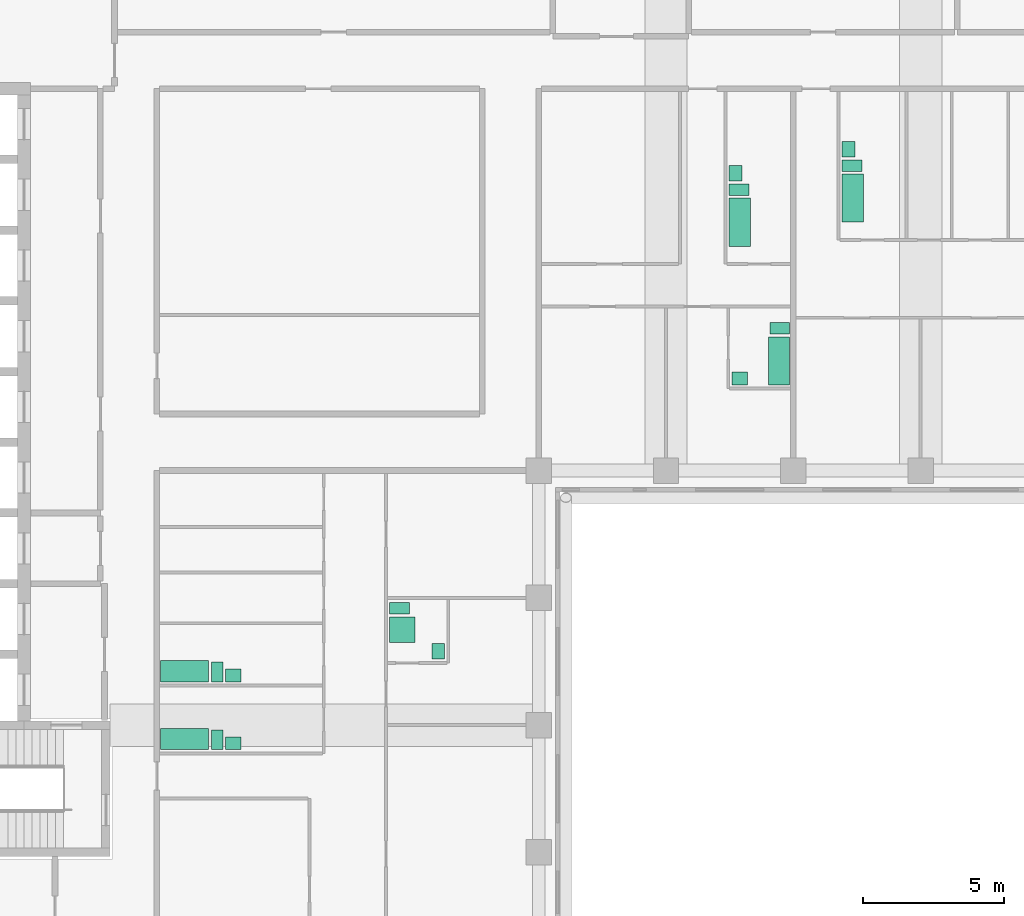
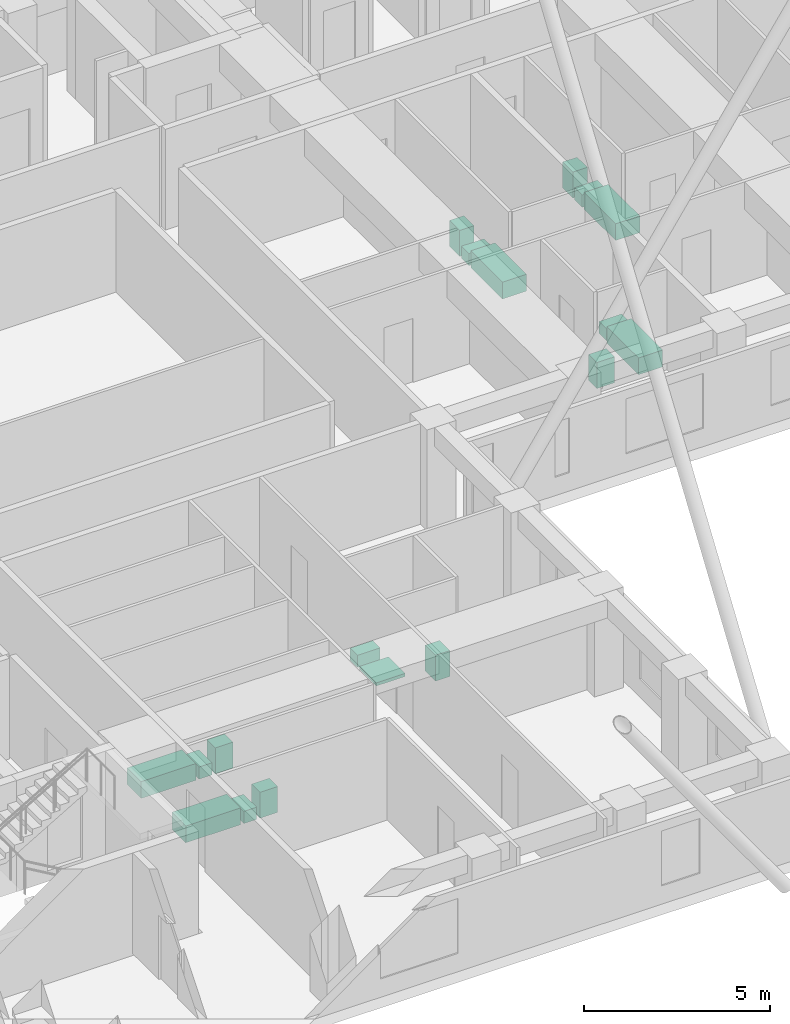
# One storey, part 8 of 8: 18 sanitary terminals.
"""IFC4 building model written with IfcOpenShell, lengths in metres."""

import ifcopenshell
import ifcopenshell.guid

model = None  # the IFC model being written
_history = None  # IfcOwnerHistory: only IFC2X3 demands one
_inside = {}  # id of a spatial element -> (the spatial element, [elements in it])
_under = {}  # id of a project, library or spatial element -> (it, [spatial elements below it])
_declared = {}  # id of a project -> (the project, [libraries it declares])
_typed = {}  # id of a type object -> (the type object, [elements of that type])
_made_of = {}  # id of a material, layer set ... -> (it, [elements and type objects made of it])


def new_model(schema):
    """Start an empty IFC model of exactly this schema.

    Asked for "IFC4X3", IfcOpenShell would pick the latest addendum, in which some entities
    have other attributes; the version numbers below select the first issue.
    IFC2X3 requires an IfcOwnerHistory on every rooted entity: one is made here for all.
    """
    global model, _history
    if schema == "IFC4X3":
        model = ifcopenshell.file(schema_version=(4, 3, 0, 0))
    else:
        model = ifcopenshell.file(schema=schema)
    _inside.clear()
    _under.clear()
    _declared.clear()
    _typed.clear()
    _made_of.clear()
    _history = None
    if model.schema == "IFC2X3":
        org = make("IfcOrganization", Name="unknown")
        user = make(
            "IfcPersonAndOrganization",
            ThePerson=make("IfcPerson", FamilyName="unknown"),
            TheOrganization=org,
        )
        app = make(
            "IfcApplication",
            ApplicationDeveloper=org,
            Version="unknown",
            ApplicationFullName="unknown",
            ApplicationIdentifier="unknown",
        )
        _history = make(
            "IfcOwnerHistory",
            OwningUser=user,
            OwningApplication=app,
            ChangeAction="ADDED",
            CreationDate=0,
        )
    return model


def make(cls, **values):
    """One entity of the class cls with the attributes given. An attribute that is None is left unset."""
    return model.create_entity(
        cls, **{name: value for name, value in values.items() if value is not None}
    )


def rooted(cls, **values):
    """An entity with a GlobalId (a new one), such as an element, a storey or a relation."""
    return make(cls, GlobalId=ifcopenshell.guid.new(), OwnerHistory=_history, **values)


def si_unit(unit_type, name, prefix=None):
    """IfcSIUnit, for example si_unit("LENGTHUNIT", "METRE", prefix="MILLI")."""
    return make("IfcSIUnit", UnitType=unit_type, Prefix=prefix, Name=name)


def assignment(units):
    """IfcUnitAssignment: the units of a project."""
    return None if units is None else make("IfcUnitAssignment", Units=units)


def point(xyz):
    """IfcCartesianPoint."""
    return None if xyz is None else make("IfcCartesianPoint", Coordinates=xyz)


def direction(xyz):
    """IfcDirection."""
    return None if xyz is None else make("IfcDirection", DirectionRatios=xyz)


def frame(location, z_axis=None, x_axis=None):
    """IfcAxis2Placement3D, a coordinate frame: its origin and axes. An axis left out is left unset."""
    return make(
        "IfcAxis2Placement3D",
        Location=point(location),
        Axis=direction(z_axis),
        RefDirection=direction(x_axis),
    )


def frame_2d(location, x_axis=None):
    """IfcAxis2Placement2D, a coordinate frame in the plane: its origin and x axis."""
    return make(
        "IfcAxis2Placement2D", Location=point(location), RefDirection=direction(x_axis)
    )


def origin():
    """The frame at (0, 0, 0) with its axes left unset."""
    return frame((0.0, 0.0, 0.0))


def origin_2d():
    """The frame at (0, 0) in the plane with its x axis left unset."""
    return frame_2d((0.0, 0.0))


def place(relative_to, where):
    """IfcLocalPlacement: puts the frame where relative to a parent placement (None: the world)."""
    return make(
        "IfcLocalPlacement", PlacementRelTo=relative_to, RelativePlacement=where
    )


def context(
    kind, dimensions, precision=None, world=None, true_north=None, identifier=None
):
    """IfcGeometricRepresentationContext, for example the 3D "Model" context."""
    return make(
        "IfcGeometricRepresentationContext",
        ContextIdentifier=identifier,
        ContextType=kind,
        CoordinateSpaceDimension=dimensions,
        Precision=precision,
        WorldCoordinateSystem=world,
        TrueNorth=true_north,
    )


def subcontext(parent, identifier, kind, view, scale=None):
    """IfcGeometricRepresentationSubContext, for example "Body" below "Model"."""
    return make(
        "IfcGeometricRepresentationSubContext",
        ContextIdentifier=identifier,
        ContextType=kind,
        ParentContext=parent,
        TargetScale=scale,
        TargetView=view,
    )


def project(units=None, contexts=None):
    """IfcProject with its units and contexts."""
    return rooted(
        "IfcProject",
        Name="project",
        RepresentationContexts=contexts,
        UnitsInContext=assignment(units),
    )


def spatial(cls, under=None, at=None, **own):
    """A site, building, storey or space (cls), placed at a placement, below another one or the project."""
    s = rooted(cls, ObjectPlacement=at, **own)
    if under is not None:
        _under.setdefault(under.id(), (under, []))[1].append(s)
    return s


def profile(cls, at=None, kind="AREA", **sizes):
    """A parametric profile (cls). Its sizes go by their IFC names, for example OverallWidth=200.0."""
    return make(cls, ProfileType=kind, Position=at, **sizes)


def rectangle(**sizes):
    """IfcRectangleProfileDef."""
    return profile("IfcRectangleProfileDef", **sizes)


def extrude(swept, where, along, depth):
    """IfcExtrudedAreaSolid: the profile swept, set in the frame where, extruded along a direction by depth."""
    return make(
        "IfcExtrudedAreaSolid",
        SweptArea=swept,
        Position=where,
        ExtrudedDirection=direction(along),
        Depth=depth,
    )


def shape(context_of_items, identifier, shape_type, items):
    """IfcShapeRepresentation: the items that make up one representation, for example the "Body"."""
    return make(
        "IfcShapeRepresentation",
        ContextOfItems=context_of_items,
        RepresentationIdentifier=identifier,
        RepresentationType=shape_type,
        Items=items,
    )


def material(Name=None, Category=None):
    """IfcMaterial."""
    return make("IfcMaterial", Name=Name, Category=Category)


def made_of(thing, what):
    """Note that an element or type object is made of a material, layer set ...; save() writes the relation."""
    if what is not None:
        _made_of.setdefault(what.id(), (what, []))[1].append(thing)
    return thing


def type_object(cls, material=None, **own):
    """A type object (cls), such as IfcWallType, which elements share."""
    return made_of(rooted(cls, **own), material)


def element(
    cls,
    number,
    at=None,
    inside=None,
    cuts=None,
    type_object=None,
    material=None,
    context=None,
    identifier="Body",
    shape_type=None,
    held_by="IfcProductDefinitionShape",
    body=None,
    shapes=None,
    **own,
):
    """One element of the class cls, such as IfcWall. Its Tag is "e" and its number.

    at: its placement. inside: the storey or other place that contains it. cuts: it is an
    opening in that element (IfcRelVoidsElement). A single representation is given by context,
    identifier, shape_type and body (its items); several are given by shapes. held_by: the class
    of the entity that holds the representations. save() writes the other relations.
    """
    e = rooted(cls, Tag="e%d" % number, ObjectPlacement=at, **own)
    if body is not None:
        shapes = [shape(context, identifier, shape_type, body)]
    if shapes is not None:
        e.Representation = make(held_by, Representations=shapes)
    if inside is not None:
        _inside.setdefault(inside.id(), (inside, []))[1].append(e)
    if cuts is not None:
        rooted(
            "IfcRelVoidsElement", RelatingBuildingElement=cuts, RelatedOpeningElement=e
        )
    if type_object is not None:
        _typed.setdefault(type_object.id(), (type_object, []))[1].append(e)
    return made_of(e, material)


def aggregate(whole, parts):
    """IfcRelAggregates: a whole, such as a stair, and the parts it consists of."""
    return rooted("IfcRelAggregates", RelatingObject=whole, RelatedObjects=parts)


def save(model, path):
    """Write the relations noted so far, then the file.

    IfcRelAggregates (storeys below a building ...), IfcRelContainedInSpatialStructure (elements
    in a storey), IfcRelDefinesByType, IfcRelAssociatesMaterial and IfcRelDeclares: one each for
    every whole, place, type object, material and project.
    """
    for whole, parts in _under.values():
        aggregate(whole, parts)
    for where, things in _inside.values():
        rooted(
            "IfcRelContainedInSpatialStructure",
            RelatedElements=things,
            RelatingStructure=where,
        )
    for kind, things in _typed.values():
        rooted("IfcRelDefinesByType", RelatedObjects=things, RelatingType=kind)
    for what, things in _made_of.values():
        rooted("IfcRelAssociatesMaterial", RelatedObjects=things, RelatingMaterial=what)
    for by, libraries in _declared.values():
        rooted("IfcRelDeclares", RelatingContext=by, RelatedDefinitions=libraries)
    model.write(path)


model = new_model("IFC4")

# Units and contexts
model_context = context("Model", 3, precision=1e-05, world=origin(), true_north=direction((0.0, 1.0)))
body_context = subcontext(model_context, "Body", "Model", "MODEL_VIEW")
ifc_project = project(units=[si_unit("LENGTHUNIT", "METRE"), si_unit("AREAUNIT", "SQUARE_METRE"), si_unit("VOLUMEUNIT", "CUBIC_METRE"), si_unit("PLANEANGLEUNIT", "RADIAN"), si_unit("MASSUNIT", "GRAM", prefix="KILO")], contexts=[model_context])

# Site, building, storey
site_placement = place(None, origin())
site = spatial("IfcSite", under=ifc_project, at=site_placement, CompositionType="ELEMENT")
building_placement = place(site_placement, origin())
building = spatial("IfcBuilding", under=site, at=building_placement, Name="Firuza Court", CompositionType="ELEMENT")
storey_placement = place(building_placement, frame((0.0, 0.0, 233.0)))
storey = spatial("IfcBuildingStorey", under=building, at=storey_placement, Name="L60", CompositionType="ELEMENT", Elevation=233.0)

# Sanitary terminals
ifc_material_1 = material(Name="Vitreous china", Category="ceramic")
sanitary_terminal_type_1 = type_object("IfcSanitaryTerminalType", Name="Fixture Bath", PredefinedType="BATH", material=ifc_material_1)
for number, where, z_axis, x_axis, name in (
    (1, (29.60498046875, 44.780029296875, 0.0), (0.0, 0.0, 1.0), (1.0, 0.0, 0.0), "Bath"),
    (2, (30.9951171875, 39.8798828125, 0.0), (0.0, 0.0, 1.0), (1.0, 0.0, 0.0), "Bath"),
    (3, (33.60498046875, 45.6298828125, 0.0), (0.0, 0.0, 1.0), (1.0, 0.0, 0.0), "Bath"),
):
    element("IfcSanitaryTerminal", number, at=place(storey_placement, frame(where, z_axis=z_axis, x_axis=x_axis)), inside=storey, type_object=sanitary_terminal_type_1, Name=name, PredefinedType="BATH", context=body_context, shape_type="SweptSolid", body=[
        extrude(rectangle(XDim=0.75, YDim=1.699951171875, at=origin_2d()), origin(), (0.0, 0.0, 1.0), 0.550048828125),
    ])
for number, where, z_axis, x_axis, name in (
    (4, (9.97998046875, 26.5048828125, 0.0), (0.0, 0.0, 1.0), (1.0, 0.0, 0.0), "Bath"),
    (5, (9.97998046875, 28.905029296875, 0.0), (0.0, 0.0, 1.0), (1.0, 0.0, 0.0), "Bath"),
):
    element("IfcSanitaryTerminal", number, at=place(storey_placement, frame(where, z_axis=z_axis, x_axis=x_axis)), inside=storey, type_object=sanitary_terminal_type_1, Name=name, PredefinedType="BATH", context=body_context, shape_type="SweptSolid", body=[
        extrude(rectangle(XDim=1.699951171875, YDim=0.75, at=origin_2d()), origin(), (0.0, 0.0, 1.0), 0.550048828125),
    ])
ifc_material_2 = material(Name="Vitreous china", Category="ceramic")
sanitary_terminal_type_2 = type_object("IfcSanitaryTerminalType", Name="Fixture Shower tray", PredefinedType="SHOWER", material=ifc_material_2)
sanitary_terminal_1_placement = place(storey_placement, frame((17.679931640625, 30.3798828125, 0.0), z_axis=(0.0, 0.0, 1.0), x_axis=(1.0, 0.0, 0.0)))
element("IfcSanitaryTerminal", 6, at=sanitary_terminal_1_placement, inside=storey, type_object=sanitary_terminal_type_2, Name="Shower tray", PredefinedType="SHOWER", context=body_context, shape_type="SweptSolid", body=[
    extrude(rectangle(XDim=0.89990234375, YDim=0.89990234375, at=origin_2d()), origin(), (0.0, 0.0, 1.0), 0.10009765625),
])
ifc_material_3 = material(Name="Vitreous china", Category="ceramic")
sanitary_terminal_type_3 = type_object("IfcSanitaryTerminalType", Name="Fixture WC pan", PredefinedType="TOILETPAN", material=ifc_material_3)
for number, where, z_axis, x_axis, name in (
    (7, (29.580078125, 45.929931640625, 0.0), (0.0, 0.0, 1.0), (1.0, 0.0, 0.0), "WC pan"),
    (8, (31.02001953125, 41.030029296875, 0.0), (0.0, 0.0, 1.0), (1.0, 0.0, 0.0), "WC pan"),
    (9, (33.580078125, 46.780029296875, 0.0), (0.0, 0.0, 1.0), (1.0, 0.0, 0.0), "WC pan"),
):
    element("IfcSanitaryTerminal", number, at=place(storey_placement, frame(where, z_axis=z_axis, x_axis=x_axis)), inside=storey, type_object=sanitary_terminal_type_3, Name=name, PredefinedType="TOILETPAN", context=body_context, shape_type="SweptSolid", body=[
        extrude(rectangle(XDim=0.699951171875, YDim=0.39990234375, at=origin_2d()), origin(), (0.0, 0.0, 1.0), 0.39990234375),
    ])
for number, where, z_axis, x_axis, name in (
    (10, (11.1298828125, 26.47998046875, 0.0), (0.0, 0.0, 1.0), (1.0, 0.0, 0.0), "WC pan"),
    (11, (11.1298828125, 28.8798828125, 0.0), (0.0, 0.0, 1.0), (1.0, 0.0, 0.0), "WC pan"),
):
    element("IfcSanitaryTerminal", number, at=place(storey_placement, frame(where, z_axis=z_axis, x_axis=x_axis)), inside=storey, type_object=sanitary_terminal_type_3, Name=name, PredefinedType="TOILETPAN", context=body_context, shape_type="SweptSolid", body=[
        extrude(rectangle(XDim=0.39990234375, YDim=0.699951171875, at=origin_2d()), origin(), (0.0, 0.0, 1.0), 0.39990234375),
    ])
sanitary_terminal_2_placement = place(storey_placement, frame((17.580078125, 31.1298828125, 0.0), z_axis=(0.0, 0.0, 1.0), x_axis=(1.0, 0.0, 0.0)))
element("IfcSanitaryTerminal", 12, at=sanitary_terminal_2_placement, inside=storey, type_object=sanitary_terminal_type_3, Name="WC pan", PredefinedType="TOILETPAN", context=body_context, shape_type="SweptSolid", body=[
    extrude(rectangle(XDim=0.699951171875, YDim=0.39990234375, at=origin_2d()), origin(), (0.0, 0.0, 1.0), 0.39990234375),
])
ifc_material_4 = material(Name="Vitreous china", Category="ceramic")
sanitary_terminal_type_4 = type_object("IfcSanitaryTerminalType", Name="Fixture Washbasin", PredefinedType="WASHHANDBASIN", material=ifc_material_4)
sanitary_terminal_3_placement = place(storey_placement, frame((29.455078125, 46.5048828125, 0.0), z_axis=(0.0, 0.0, 1.0), x_axis=(1.0, 0.0, 0.0)))
element("IfcSanitaryTerminal", 13, at=sanitary_terminal_3_placement, inside=storey, type_object=sanitary_terminal_type_4, Name="Washbasin", PredefinedType="WASHHANDBASIN", context=body_context, shape_type="SweptSolid", body=[
    extrude(rectangle(XDim=0.449951171875, YDim=0.550048828125, at=origin_2d()), origin(), (0.0, 0.0, 1.0), 0.85009765625),
])
sanitary_terminal_4_placement = place(storey_placement, frame((29.60498046875, 39.2548828125, 0.0), z_axis=(0.0, 0.0, 1.0), x_axis=(1.0, 0.0, 0.0)))
element("IfcSanitaryTerminal", 14, at=sanitary_terminal_4_placement, inside=storey, type_object=sanitary_terminal_type_4, Name="Washbasin", PredefinedType="WASHHANDBASIN", context=body_context, shape_type="SweptSolid", body=[
    extrude(rectangle(XDim=0.550048828125, YDim=0.449951171875, at=origin_2d()), origin(), (0.0, 0.0, 1.0), 0.85009765625),
])
sanitary_terminal_5_placement = place(storey_placement, frame((33.455078125, 47.35498046875, 0.0), z_axis=(0.0, 0.0, 1.0), x_axis=(1.0, 0.0, 0.0)))
element("IfcSanitaryTerminal", 15, at=sanitary_terminal_5_placement, inside=storey, type_object=sanitary_terminal_type_4, Name="Washbasin", PredefinedType="WASHHANDBASIN", context=body_context, shape_type="SweptSolid", body=[
    extrude(rectangle(XDim=0.449951171875, YDim=0.550048828125, at=origin_2d()), origin(), (0.0, 0.0, 1.0), 0.85009765625),
])
for number, where, z_axis, x_axis, name in (
    (16, (11.705078125, 26.35498046875, 0.0), (0.0, 0.0, 1.0), (1.0, 0.0, 0.0), "Washbasin"),
    (17, (11.705078125, 28.7548828125, 0.0), (0.0, 0.0, 1.0), (1.0, 0.0, 0.0), "Washbasin"),
):
    element("IfcSanitaryTerminal", number, at=place(storey_placement, frame(where, z_axis=z_axis, x_axis=x_axis)), inside=storey, type_object=sanitary_terminal_type_4, Name=name, PredefinedType="WASHHANDBASIN", context=body_context, shape_type="SweptSolid", body=[
        extrude(rectangle(XDim=0.550048828125, YDim=0.449951171875, at=origin_2d()), origin(), (0.0, 0.0, 1.0), 0.85009765625),
    ])
sanitary_terminal_6_placement = place(storey_placement, frame((18.945068359375, 29.60498046875, 0.0), z_axis=(0.0, 0.0, 1.0), x_axis=(1.0, 0.0, 0.0)))
element("IfcSanitaryTerminal", 18, at=sanitary_terminal_6_placement, inside=storey, type_object=sanitary_terminal_type_4, Name="Washbasin", PredefinedType="WASHHANDBASIN", context=body_context, shape_type="SweptSolid", body=[
    extrude(rectangle(XDim=0.449951171875, YDim=0.550048828125, at=origin_2d()), origin(), (0.0, 0.0, 1.0), 0.85009765625),
])

save(model, "model.ifc")
